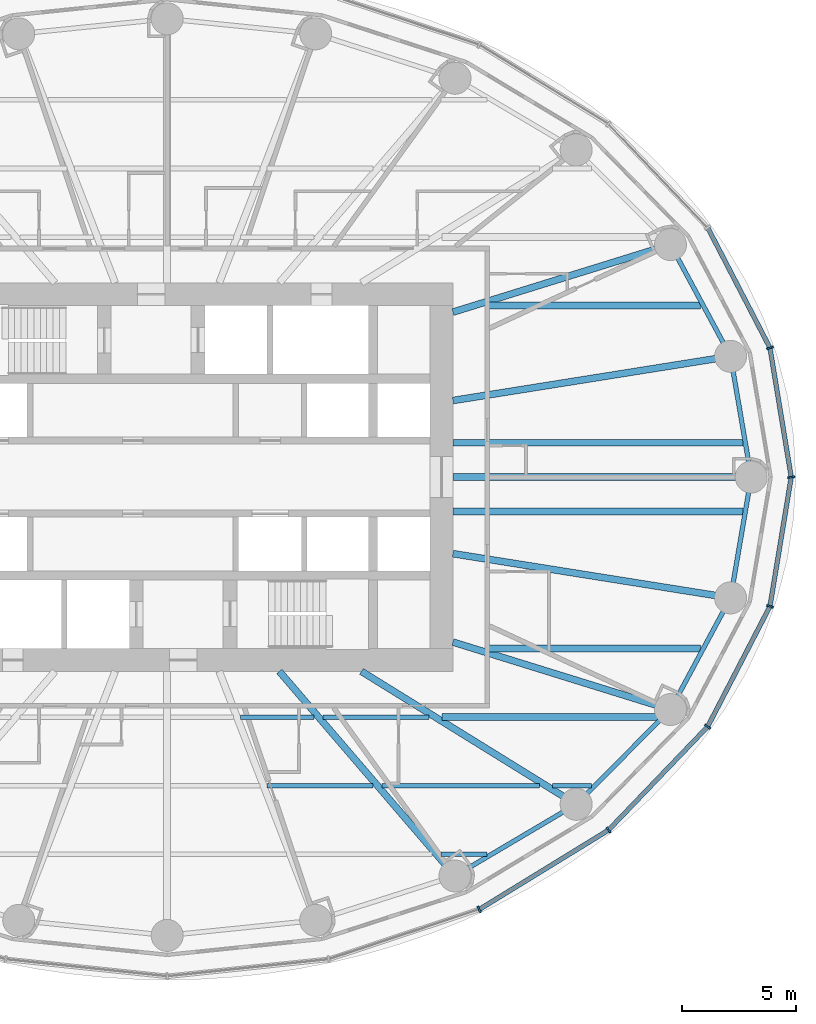
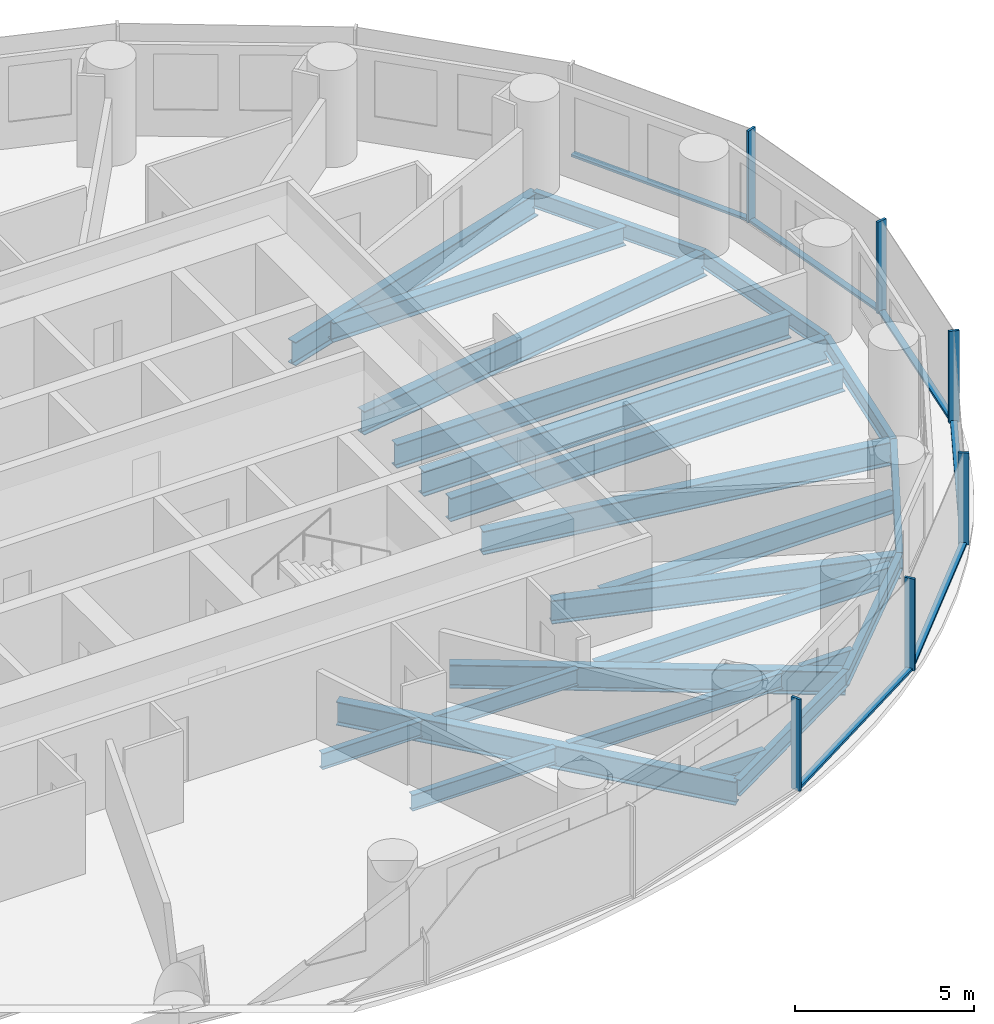
# One storey, part 3 of 13: 24 beams, 12 members, 2 elements without a shape of their own.
"""IFC4 building model written with IfcOpenShell, lengths in metres."""

from ifc_helpers import new_model, si_unit, direction, frame, origin, origin_2d, place, context, subcontext, project, spatial, rectangle, i_section, extrude, material, material_profile, profile_set, type_object, element, aggregate, save


model = new_model("IFC4")

# Units and contexts
model_context = context("Model", 3, precision=1e-05, world=origin(), true_north=direction((0.0, 1.0)))
body_context = subcontext(model_context, "Body", "Model", "MODEL_VIEW")
ifc_project = project(units=[si_unit("LENGTHUNIT", "METRE"), si_unit("AREAUNIT", "SQUARE_METRE"), si_unit("VOLUMEUNIT", "CUBIC_METRE"), si_unit("PLANEANGLEUNIT", "RADIAN"), si_unit("MASSUNIT", "GRAM", prefix="KILO")], contexts=[model_context])

# Site, building, storey
site_placement = place(None, origin())
site = spatial("IfcSite", under=ifc_project, at=site_placement, CompositionType="ELEMENT")
building_placement = place(site_placement, origin())
building = spatial("IfcBuilding", under=site, at=building_placement, Name="Hankou Lantern Tower", CompositionType="ELEMENT")
storey_placement = place(building_placement, frame((0.0, 0.0, 80.39990234375)))
storey = spatial("IfcBuildingStorey", under=building, at=storey_placement, Name="L20", CompositionType="ELEMENT", Elevation=80.39990234375)

# Beams
ifc_material_1 = material(Name="Steel Q355B", Category="steel")
ifc_material_profile_1 = material_profile(ifc_material_1, i_section(OverallWidth=0.199951171875, OverallDepth=0.550048828125, WebThickness=0.010009765625, FlangeThickness=0.01611328125, FilletRadius=0.012939453125, at=origin_2d()), Name="HN550x200x10x16")
ifc_profile_set_1 = profile_set([ifc_material_profile_1], Name="Steel Q355B")
beam_type_1 = type_object("IfcBeamType", Name="EB6 RING BEAM HN550x200x10x16", PredefinedType="SPANDREL", material=ifc_profile_set_1)
beam_1_placement = place(storey_placement, frame((25.550048828125, 0.0, -0.454833984375), z_axis=(-0.168489691988, 0.985703415685, 0.0), x_axis=(-0.985703415685, -0.168489691988, 0.0)))
element("IfcBeam", 1, at=beam_1_placement, inside=storey, type_object=beam_type_1, Name="Ring beam R01-R02 L20", PredefinedType="SPANDREL", context=body_context, shape_type="SweptSolid", body=[
    extrude(i_section(OverallWidth=0.199951171875, OverallDepth=0.550048828125, WebThickness=0.010009765625, FlangeThickness=0.01611328125, FilletRadius=0.012939453125, at=origin_2d()), origin(), (0.0, 0.0, 1.0), 5.35986328125),
])
beam_2_placement = place(storey_placement, frame((24.64697265625, 5.283203125, -0.454833984375), z_axis=(-0.473609096023, 0.880735161194, 0.0), x_axis=(-0.880735161194, -0.473609096023, 0.0)))
element("IfcBeam", 2, at=beam_2_placement, inside=storey, type_object=beam_type_1, Name="Ring beam R02-R03 L20", PredefinedType="SPANDREL", context=body_context, shape_type="SweptSolid", body=[
    extrude(i_section(OverallWidth=0.199951171875, OverallDepth=0.550048828125, WebThickness=0.010009765625, FlangeThickness=0.01611328125, FilletRadius=0.012939453125, at=origin_2d()), origin(), (0.0, 0.0, 1.0), 5.548828125),
])
beam_3_placement = place(storey_placement, frame((12.5908203125, -17.446533203125, -0.454833984375), z_axis=(0.860881533543, 0.508805449268, 0.0), x_axis=(-0.508805449268, 0.860881533543, 0.0)))
element("IfcBeam", 3, at=beam_3_placement, inside=storey, type_object=beam_type_1, Name="Ring beam R21-R22 L20", PredefinedType="SPANDREL", context=body_context, shape_type="SweptSolid", body=[
    extrude(i_section(OverallWidth=0.199951171875, OverallDepth=0.550048828125, WebThickness=0.010009765625, FlangeThickness=0.01611328125, FilletRadius=0.012939453125, at=origin_2d()), origin(), (0.0, 0.0, 1.0), 6.15771484375),
])
beam_4_placement = place(storey_placement, frame((17.891845703125, -14.3134765625, -0.454833984375), z_axis=(0.705727798394, 0.708483079949, 0.0), x_axis=(-0.708483079949, 0.705727798394, 0.0)))
element("IfcBeam", 4, at=beam_4_placement, inside=storey, type_object=beam_type_1, Name="Ring beam R22-R23 L20", PredefinedType="SPANDREL", context=body_context, shape_type="SweptSolid", body=[
    extrude(i_section(OverallWidth=0.199951171875, OverallDepth=0.550048828125, WebThickness=0.010009765625, FlangeThickness=0.01611328125, FilletRadius=0.012939453125, at=origin_2d()), origin(), (0.0, 0.0, 1.0), 5.84814453125),
])
beam_5_placement = place(storey_placement, frame((22.01904296875, -10.170166015625, -0.454833984375), z_axis=(0.473609096023, 0.880735161194, 0.0), x_axis=(-0.880735161194, 0.473609096023, 0.0)))
element("IfcBeam", 5, at=beam_5_placement, inside=storey, type_object=beam_type_1, Name="Ring beam R23-R24 L20", PredefinedType="SPANDREL", context=body_context, shape_type="SweptSolid", body=[
    extrude(i_section(OverallWidth=0.199951171875, OverallDepth=0.550048828125, WebThickness=0.010009765625, FlangeThickness=0.01611328125, FilletRadius=0.012939453125, at=origin_2d()), origin(), (0.0, 0.0, 1.0), 5.548828125),
])
beam_6_placement = place(storey_placement, frame((24.64697265625, -5.283203125, -0.454833984375), z_axis=(0.168489691988, 0.985703415685, 0.0), x_axis=(-0.985703415685, 0.168489691988, 0.0)))
element("IfcBeam", 6, at=beam_6_placement, inside=storey, type_object=beam_type_1, Name="Ring beam R24-R01 L20", PredefinedType="SPANDREL", context=body_context, shape_type="SweptSolid", body=[
    extrude(i_section(OverallWidth=0.199951171875, OverallDepth=0.550048828125, WebThickness=0.010009765625, FlangeThickness=0.01611328125, FilletRadius=0.012939453125, at=origin_2d()), origin(), (0.0, 0.0, 1.0), 5.35986328125),
])

# Curtain wall, members
ifc_material_2 = material(Name="Glass, dark grey tinted laminated", Category="glass")
curtain_wall_type = type_object("IfcCurtainWallType", Name="CWA OUTER SKIN LOW-RISE", PredefinedType="USERDEFINED", material=ifc_material_2)
curtain_wall_1_placement = place(storey_placement, origin())
curtain_wall_1 = element("IfcCurtainWall", 7, at=curtain_wall_1_placement, inside=storey, type_object=curtain_wall_type, Name="CWA L20 OS1", ObjectType="OUTER SKIN LOW-RISE", PredefinedType="USERDEFINED")
ifc_material_3 = material(Name="Aluminium, black anodised", Category="aluminium")
ifc_material_profile_2 = material_profile(ifc_material_3, rectangle(XDim=0.080078125, YDim=0.300048828125, at=origin_2d()), Name="MU1 80X300")
ifc_profile_set_2 = profile_set([ifc_material_profile_2], Name="Aluminium, black anodised")
member_type_1 = type_object("IfcMemberType", Name="MU1 OUTER SKIN MULLION 80X300", PredefinedType="MULLION", material=ifc_profile_set_2)
member_1_placement = place(storey_placement, frame((27.300048828125, 0.0, 0.0), z_axis=(0.0, 0.0, 1.0), x_axis=(-0.162381515188, 0.986728049427, 0.0)))
member_1 = element("IfcMember", 8, at=member_1_placement, type_object=member_type_1, Name="CWA mullion 1", PredefinedType="MULLION", context=body_context, shape_type="SweptSolid", body=[
    extrude(rectangle(XDim=0.080078125, YDim=0.300048828125, at=origin_2d()), origin(), (0.0, 0.0, 1.0), 3.1201171875),
])
member_2_placement = place(storey_placement, frame((26.369873046875, 5.652587890625, 0.0), z_axis=(0.0, 0.0, 1.0), x_axis=(-0.317595577365, 0.94822626479, 0.0)))
member_2 = element("IfcMember", 9, at=member_2_placement, type_object=member_type_1, Name="CWA mullion 2", PredefinedType="MULLION", context=body_context, shape_type="SweptSolid", body=[
    extrude(rectangle(XDim=0.080078125, YDim=0.300048828125, at=origin_2d()), origin(), (0.0, 0.0, 1.0), 3.1201171875),
])

curtain_wall_2_placement = place(storey_placement, origin())
curtain_wall_2 = element("IfcCurtainWall", 10, at=curtain_wall_2_placement, inside=storey, type_object=curtain_wall_type, Name="CWA L20 OS4", ObjectType="OUTER SKIN LOW-RISE", PredefinedType="USERDEFINED")
member_3_placement = place(storey_placement, frame((13.64990234375, -18.9140625, 0.0), z_axis=(0.0, 0.0, 1.0), x_axis=(0.907841299004, 0.419313934686, 0.0)))
member_3 = element("IfcMember", 11, at=member_3_placement, type_object=member_type_1, Name="CWA mullion 3", PredefinedType="MULLION", context=body_context, shape_type="SweptSolid", body=[
    extrude(rectangle(XDim=0.080078125, YDim=0.300048828125, at=origin_2d()), origin(), (0.0, 0.0, 1.0), 3.1201171875),
])
member_4_placement = place(storey_placement, frame((19.303955078125, -15.443115234375, 0.0), z_axis=(0.0, 0.0, 1.0), x_axis=(0.780868809444, 0.624695047553, 0.0)))
member_4 = element("IfcMember", 12, at=member_4_placement, type_object=member_type_1, Name="CWA mullion 4", PredefinedType="MULLION", context=body_context, shape_type="SweptSolid", body=[
    extrude(rectangle(XDim=0.080078125, YDim=0.300048828125, at=origin_2d()), origin(), (0.0, 0.0, 1.0), 3.1201171875),
])
member_5_placement = place(storey_placement, frame((23.642578125, -10.919921875, 0.0), z_axis=(0.0, 0.0, 1.0), x_axis=(0.585205735974, 0.810884854084, 0.0)))
member_5 = element("IfcMember", 13, at=member_5_placement, type_object=member_type_1, Name="CWA mullion 5", PredefinedType="MULLION", context=body_context, shape_type="SweptSolid", body=[
    extrude(rectangle(XDim=0.080078125, YDim=0.300048828125, at=origin_2d()), origin(), (0.0, 0.0, 1.0), 3.1201171875),
])
member_6_placement = place(storey_placement, frame((26.369873046875, -5.652587890625, 0.0), z_axis=(0.0, 0.0, 1.0), x_axis=(0.317595577365, 0.94822626479, 0.0)))
member_6 = element("IfcMember", 14, at=member_6_placement, type_object=member_type_1, Name="CWA mullion 6", PredefinedType="MULLION", context=body_context, shape_type="SweptSolid", body=[
    extrude(rectangle(XDim=0.080078125, YDim=0.300048828125, at=origin_2d()), origin(), (0.0, 0.0, 1.0), 3.1201171875),
])

# Beams
ifc_material_4 = material(Name="Steel Q355B", Category="steel")
ifc_material_profile_3 = material_profile(ifc_material_4, i_section(OverallWidth=0.300048828125, OverallDepth=0.800048828125, WebThickness=0.013916015625, FlangeThickness=0.02587890625, FilletRadius=0.01806640625, at=origin_2d()), Name="HN800x300x14x26")
ifc_profile_set_3 = profile_set([ifc_material_profile_3], Name="Steel Q355B")
beam_type_2 = type_object("IfcBeamType", Name="RB11 RADIAL BEAM HN800x300x14x26", PredefinedType="BEAM", material=ifc_profile_set_3)
beam_7_placement = place(storey_placement, frame((12.5, 3.349365234375, -0.579833984375), z_axis=(0.987563081343, 0.157223281893, 0.0), x_axis=(-0.157223281893, 0.987563081343, 0.0)))
element("IfcBeam", 15, at=beam_7_placement, inside=storey, type_object=beam_type_2, Name="Radial beam R02 L20", PredefinedType="BEAM", context=body_context, shape_type="SweptSolid", body=[
    extrude(i_section(OverallWidth=0.300048828125, OverallDepth=0.800048828125, WebThickness=0.013916015625, FlangeThickness=0.02587890625, FilletRadius=0.01806640625, at=origin_2d()), origin(), (0.0, 0.0, 1.0), 12.300048828125),
])
beam_8_placement = place(storey_placement, frame((12.5, 7.216796875, -0.579833984375), z_axis=(0.955087327755, 0.29632447817, 0.0), x_axis=(-0.29632447817, 0.955087327755, 0.0)))
element("IfcBeam", 16, at=beam_8_placement, inside=storey, type_object=beam_type_2, Name="Radial beam R03 L20", PredefinedType="BEAM", context=body_context, shape_type="SweptSolid", body=[
    extrude(i_section(OverallWidth=0.300048828125, OverallDepth=0.800048828125, WebThickness=0.013916015625, FlangeThickness=0.02587890625, FilletRadius=0.01806640625, at=origin_2d()), origin(), (0.0, 0.0, 1.0), 9.966552734375),
])
beam_9_placement = place(storey_placement, frame((4.907470703125, -8.5, -0.579833984375), z_axis=(0.651519061225, -0.758632264579, 0.0), x_axis=(0.758632264579, 0.651519061225, 0.0)))
element("IfcBeam", 17, at=beam_9_placement, inside=storey, type_object=beam_type_2, Name="Radial beam R21 L20", PredefinedType="BEAM", context=body_context, shape_type="SweptSolid", body=[
    extrude(i_section(OverallWidth=0.300048828125, OverallDepth=0.800048828125, WebThickness=0.013916015625, FlangeThickness=0.02587890625, FilletRadius=0.01806640625, at=origin_2d()), origin(), (0.0, 0.0, 1.0), 11.79296875),
])
beam_10_placement = place(storey_placement, frame((8.5, -8.5, -0.579833984375), z_axis=(0.850286343288, -0.526320372414, 0.0), x_axis=(0.526320372414, 0.850286343288, 0.0)))
element("IfcBeam", 18, at=beam_10_placement, inside=storey, type_object=beam_type_2, Name="Radial beam R22 L20", PredefinedType="BEAM", context=body_context, shape_type="SweptSolid", body=[
    extrude(i_section(OverallWidth=0.300048828125, OverallDepth=0.800048828125, WebThickness=0.013916015625, FlangeThickness=0.02587890625, FilletRadius=0.01806640625, at=origin_2d()), origin(), (0.0, 0.0, 1.0), 11.04541015625),
])
beam_11_placement = place(storey_placement, frame((12.5, -7.216796875, -0.579833984375), z_axis=(0.955087327755, -0.29632447817, 0.0), x_axis=(0.29632447817, 0.955087327755, 0.0)))
element("IfcBeam", 19, at=beam_11_placement, inside=storey, type_object=beam_type_2, Name="Radial beam R23 L20", PredefinedType="BEAM", context=body_context, shape_type="SweptSolid", body=[
    extrude(i_section(OverallWidth=0.300048828125, OverallDepth=0.800048828125, WebThickness=0.013916015625, FlangeThickness=0.02587890625, FilletRadius=0.01806640625, at=origin_2d()), origin(), (0.0, 0.0, 1.0), 9.966552734375),
])
beam_12_placement = place(storey_placement, frame((12.5, -3.349365234375, -0.579833984375), z_axis=(0.987563081343, -0.157223281893, 0.0), x_axis=(0.157223281893, 0.987563081343, 0.0)))
element("IfcBeam", 20, at=beam_12_placement, inside=storey, type_object=beam_type_2, Name="Radial beam R24 L20", PredefinedType="BEAM", context=body_context, shape_type="SweptSolid", body=[
    extrude(i_section(OverallWidth=0.300048828125, OverallDepth=0.800048828125, WebThickness=0.013916015625, FlangeThickness=0.02587890625, FilletRadius=0.01806640625, at=origin_2d()), origin(), (0.0, 0.0, 1.0), 12.300048828125),
])
ifc_material_5 = material(Name="Steel Q355B", Category="steel")
ifc_material_profile_4 = material_profile(ifc_material_5, i_section(OverallWidth=0.300048828125, OverallDepth=0.85009765625, WebThickness=0.01611328125, FlangeThickness=0.027099609375, FilletRadius=0.01806640625, at=origin_2d()), Name="HN850x300x16x27")
ifc_profile_set_4 = profile_set([ifc_material_profile_4], Name="Steel Q355B")
beam_type_3 = type_object("IfcBeamType", Name="RB12 RADIAL BEAM HN850x300x16x27", PredefinedType="BEAM", material=ifc_profile_set_4)
beam_13_placement = place(storey_placement, frame((12.5, 0.0, -0.60498046875), z_axis=(1.0, 0.0, 0.0), x_axis=(0.0, 1.0, 0.0)))
element("IfcBeam", 21, at=beam_13_placement, inside=storey, type_object=beam_type_3, Name="Radial beam R01 L20", PredefinedType="BEAM", context=body_context, shape_type="SweptSolid", body=[
    extrude(i_section(OverallWidth=0.300048828125, OverallDepth=0.85009765625, WebThickness=0.01611328125, FlangeThickness=0.027099609375, FilletRadius=0.01806640625, at=origin_2d()), origin(), (0.0, 0.0, 1.0), 13.050048828125),
])
ifc_material_6 = material(Name="Steel Q355B", Category="steel")
ifc_material_profile_5 = material_profile(ifc_material_6, i_section(OverallWidth=0.300048828125, OverallDepth=0.800048828125, WebThickness=0.013916015625, FlangeThickness=0.02587890625, FilletRadius=0.01806640625, at=origin_2d()), Name="HN800x300x14x26")
ifc_profile_set_5 = profile_set([ifc_material_profile_5], Name="Steel Q355B")
beam_type_4 = type_object("IfcBeamType", Name="SB11 SECONDARY BEAM HN800x300x14x26", PredefinedType="JOIST", material=ifc_profile_set_5)
for number, where, z_axis, x_axis, name in (
    (22, (12.5, -1.5, -0.579833984375), (1.0, 0.0, 0.0), (0.0, 1.0, 0.0), "Floor joist J030 L20"),
    (23, (12.5, 1.5, -0.579833984375), (1.0, 0.0, 0.0), (0.0, 1.0, 0.0), "Floor joist J032 L20"),
):
    element("IfcBeam", number, at=place(storey_placement, frame(where, z_axis=z_axis, x_axis=x_axis)), inside=storey, type_object=beam_type_4, Name=name, PredefinedType="JOIST", context=body_context, shape_type="SweptSolid", body=[
        extrude(i_section(OverallWidth=0.300048828125, OverallDepth=0.800048828125, WebThickness=0.013916015625, FlangeThickness=0.02587890625, FilletRadius=0.01806640625, at=origin_2d()), origin(), (0.0, 0.0, 1.0), 12.692138671875),
    ])
ifc_material_7 = material(Name="Steel Q355B", Category="steel")
ifc_material_profile_6 = material_profile(ifc_material_7, i_section(OverallWidth=0.199951171875, OverallDepth=0.550048828125, WebThickness=0.010009765625, FlangeThickness=0.01611328125, FilletRadius=0.012939453125, at=origin_2d()), Name="HN550x200x10x16")
ifc_profile_set_6 = profile_set([ifc_material_profile_6], Name="Steel Q355B")
beam_type_5 = type_object("IfcBeamType", Name="SB6 SECONDARY BEAM HN550x200x10x16", PredefinedType="JOIST", material=ifc_profile_set_6)
beam_14_placement = place(storey_placement, frame((11.975830078125, -16.5, -0.454833984375), z_axis=(1.0, 0.0, 0.0), x_axis=(0.0, 1.0, 0.0)))
element("IfcBeam", 24, at=beam_14_placement, inside=storey, type_object=beam_type_5, Name="Floor joist J006 L20", PredefinedType="JOIST", context=body_context, shape_type="SweptSolid", body=[
    extrude(i_section(OverallWidth=0.199951171875, OverallDepth=0.550048828125, WebThickness=0.010009765625, FlangeThickness=0.01611328125, FilletRadius=0.012939453125, at=origin_2d()), origin(), (0.0, 0.0, 1.0), 2.019775390625),
])
beam_15_placement = place(storey_placement, frame((4.37451171875, -13.5, -0.454833984375), z_axis=(1.0, 0.0, 0.0), x_axis=(0.0, 1.0, 0.0)))
element("IfcBeam", 25, at=beam_15_placement, inside=storey, type_object=beam_type_5, Name="Floor joist J012 L20", PredefinedType="JOIST", context=body_context, shape_type="SweptSolid", body=[
    extrude(i_section(OverallWidth=0.199951171875, OverallDepth=0.550048828125, WebThickness=0.010009765625, FlangeThickness=0.01611328125, FilletRadius=0.012939453125, at=origin_2d()), origin(), (0.0, 0.0, 1.0), 4.62939453125),
])
beam_16_placement = place(storey_placement, frame((9.3994140625, -13.5, -0.454833984375), z_axis=(1.0, 0.0, 0.0), x_axis=(0.0, 1.0, 0.0)))
element("IfcBeam", 26, at=beam_16_placement, inside=storey, type_object=beam_type_5, Name="Floor joist J013 L20", PredefinedType="JOIST", context=body_context, shape_type="SweptSolid", body=[
    extrude(i_section(OverallWidth=0.199951171875, OverallDepth=0.550048828125, WebThickness=0.010009765625, FlangeThickness=0.01611328125, FilletRadius=0.012939453125, at=origin_2d()), origin(), (0.0, 0.0, 1.0), 6.893310546875),
])
beam_17_placement = place(storey_placement, frame((16.86279296875, -13.5, -0.454833984375), z_axis=(1.0, 0.0, 0.0), x_axis=(0.0, 1.0, 0.0)))
element("IfcBeam", 27, at=beam_17_placement, inside=storey, type_object=beam_type_5, Name="Floor joist J014 L20", PredefinedType="JOIST", context=body_context, shape_type="SweptSolid", body=[
    extrude(i_section(OverallWidth=0.199951171875, OverallDepth=0.550048828125, WebThickness=0.010009765625, FlangeThickness=0.01611328125, FilletRadius=0.012939453125, at=origin_2d()), origin(), (0.0, 0.0, 1.0), 1.697998046875),
])
beam_18_placement = place(storey_placement, frame((3.212890625, -10.5, -0.454833984375), z_axis=(1.0, 0.0, 0.0), x_axis=(0.0, 1.0, 0.0)))
element("IfcBeam", 28, at=beam_18_placement, inside=storey, type_object=beam_type_5, Name="Floor joist J020 L20", PredefinedType="JOIST", context=body_context, shape_type="SweptSolid", body=[
    extrude(i_section(OverallWidth=0.199951171875, OverallDepth=0.550048828125, WebThickness=0.010009765625, FlangeThickness=0.01611328125, FilletRadius=0.012939453125, at=origin_2d()), origin(), (0.0, 0.0, 1.0), 3.214599609375),
])
beam_19_placement = place(storey_placement, frame((6.82275390625, -10.5, -0.454833984375), z_axis=(1.0, 0.0, 0.0), x_axis=(0.0, 1.0, 0.0)))
element("IfcBeam", 29, at=beam_19_placement, inside=storey, type_object=beam_type_5, Name="Floor joist J021 L20", PredefinedType="JOIST", context=body_context, shape_type="SweptSolid", body=[
    extrude(i_section(OverallWidth=0.199951171875, OverallDepth=0.550048828125, WebThickness=0.010009765625, FlangeThickness=0.01611328125, FilletRadius=0.012939453125, at=origin_2d()), origin(), (0.0, 0.0, 1.0), 4.623291015625),
])
ifc_material_8 = material(Name="Steel Q355B", Category="steel")
ifc_material_profile_7 = material_profile(ifc_material_8, i_section(OverallWidth=0.300048828125, OverallDepth=0.64990234375, WebThickness=0.010986328125, FlangeThickness=0.01708984375, FilletRadius=0.01806640625, at=origin_2d()), Name="HN650x300x11x17")
ifc_profile_set_7 = profile_set([ifc_material_profile_7], Name="Steel Q355B")
beam_type_6 = type_object("IfcBeamType", Name="SB8 SECONDARY BEAM HN650x300x11x17", PredefinedType="JOIST", material=ifc_profile_set_7)
beam_20_placement = place(storey_placement, frame((12.01611328125, -10.5, -0.5048828125), z_axis=(1.0, 0.0, 0.0), x_axis=(0.0, 1.0, 0.0)))
element("IfcBeam", 30, at=beam_20_placement, inside=storey, type_object=beam_type_6, Name="Floor joist J022 L20", PredefinedType="JOIST", context=body_context, shape_type="SweptSolid", body=[
    extrude(i_section(OverallWidth=0.300048828125, OverallDepth=0.64990234375, WebThickness=0.010986328125, FlangeThickness=0.01708984375, FilletRadius=0.01806640625, at=origin_2d()), origin(), (0.0, 0.0, 1.0), 9.533203125),
])
for number, where, z_axis, x_axis, name in (
    (31, (13.918701171875, -7.5, -0.5048828125), (1.0, 0.0, 0.0), (0.0, 1.0, 0.0), "Floor joist J024 L20"),
    (32, (13.918701171875, 7.5, -0.5048828125), (1.0, 0.0, 0.0), (0.0, 1.0, 0.0), "Floor joist J038 L20"),
):
    element("IfcBeam", number, at=place(storey_placement, frame(where, z_axis=z_axis, x_axis=x_axis)), inside=storey, type_object=beam_type_6, Name=name, PredefinedType="JOIST", context=body_context, shape_type="SweptSolid", body=[
        extrude(i_section(OverallWidth=0.300048828125, OverallDepth=0.64990234375, WebThickness=0.010986328125, FlangeThickness=0.01708984375, FilletRadius=0.01806640625, at=origin_2d()), origin(), (0.0, 0.0, 1.0), 9.4228515625),
    ])

# Member
ifc_material_9 = material(Name="Aluminium, black anodised", Category="aluminium")
ifc_material_profile_8 = material_profile(ifc_material_9, rectangle(XDim=0.199951171875, YDim=0.080078125, at=origin_2d()), Name="TR1 200X80")
ifc_profile_set_8 = profile_set([ifc_material_profile_8], Name="Aluminium, black anodised")
member_type_2 = type_object("IfcMemberType", Name="TR1 OUTER SKIN TRANSOM 200X80", PredefinedType="USERDEFINED", material=ifc_profile_set_8)
member_7_placement = place(storey_placement, frame((27.29345703125, 0.03955078125, 0.0400390625), z_axis=(-0.162387045529, 0.986727139307, 0.0), x_axis=(-0.986727139307, -0.162387045529, 0.0)))
member_7 = element("IfcMember", 33, at=member_7_placement, type_object=member_type_2, Name="CWA transom 1", ObjectType="TRANSOM", PredefinedType="USERDEFINED", context=body_context, shape_type="SweptSolid", body=[
    extrude(rectangle(XDim=0.199951171875, YDim=0.080078125, at=origin_2d()), origin(), (0.0, 0.0, 1.0), 5.6484375),
])

member_8_placement = place(storey_placement, frame((26.351318359375, 5.688232421875, 0.0400390625), z_axis=(-0.459786096495, 0.888029698529, 0.0), x_axis=(-0.888029698529, -0.459786096495, 0.0)))
member_8 = element("IfcMember", 34, at=member_8_placement, type_object=member_type_2, Name="CWA transom 2", ObjectType="TRANSOM", PredefinedType="USERDEFINED", context=body_context, shape_type="SweptSolid", body=[
    extrude(rectangle(XDim=0.199951171875, YDim=0.080078125, at=origin_2d()), origin(), (0.0, 0.0, 1.0), 5.8515625),
])

aggregate(curtain_wall_1, [member_1, member_2, member_7, member_8])

member_9_placement = place(storey_placement, frame((13.68408203125, -18.89306640625, 0.0400390625), z_axis=(0.85223969557, 0.523151508929, 0.0), x_axis=(-0.523151508929, 0.85223969557, 0.0)))
member_9 = element("IfcMember", 35, at=member_9_placement, type_object=member_type_2, Name="CWA transom 3", ObjectType="TRANSOM", PredefinedType="USERDEFINED", context=body_context, shape_type="SweptSolid", body=[
    extrude(rectangle(XDim=0.199951171875, YDim=0.080078125, at=origin_2d()), origin(), (0.0, 0.0, 1.0), 6.554443359375),
])

member_10_placement = place(storey_placement, frame((19.331787109375, -15.414306640625, 0.0400390625), z_axis=(0.692215537374, 0.721690827029, 0.0), x_axis=(-0.721690827029, 0.692215537374, 0.0)))
member_10 = element("IfcMember", 36, at=member_10_placement, type_object=member_type_2, Name="CWA transom 4", ObjectType="TRANSOM", PredefinedType="USERDEFINED", context=body_context, shape_type="SweptSolid", body=[
    extrude(rectangle(XDim=0.199951171875, YDim=0.080078125, at=origin_2d()), origin(), (0.0, 0.0, 1.0), 6.187255859375),
])

member_11_placement = place(storey_placement, frame((23.660888671875, -10.884521484375, 0.0400390625), z_axis=(0.459786096495, 0.888029698529, 0.0), x_axis=(-0.888029698529, 0.459786096495, 0.0)))
member_11 = element("IfcMember", 37, at=member_11_placement, type_object=member_type_2, Name="CWA transom 5", ObjectType="TRANSOM", PredefinedType="USERDEFINED", context=body_context, shape_type="SweptSolid", body=[
    extrude(rectangle(XDim=0.199951171875, YDim=0.080078125, at=origin_2d()), origin(), (0.0, 0.0, 1.0), 5.8515625),
])

member_12_placement = place(storey_placement, frame((26.376220703125, -5.613037109375, 0.0400390625), z_axis=(0.162387045529, 0.986727139307, 0.0), x_axis=(-0.986727139307, 0.162387045529, 0.0)))
member_12 = element("IfcMember", 38, at=member_12_placement, type_object=member_type_2, Name="CWA transom 6", ObjectType="TRANSOM", PredefinedType="USERDEFINED", context=body_context, shape_type="SweptSolid", body=[
    extrude(rectangle(XDim=0.199951171875, YDim=0.080078125, at=origin_2d()), origin(), (0.0, 0.0, 1.0), 5.6484375),
])

aggregate(curtain_wall_2, [member_3, member_4, member_5, member_6, member_9, member_10, member_11, member_12])

save(model, "model.ifc")
